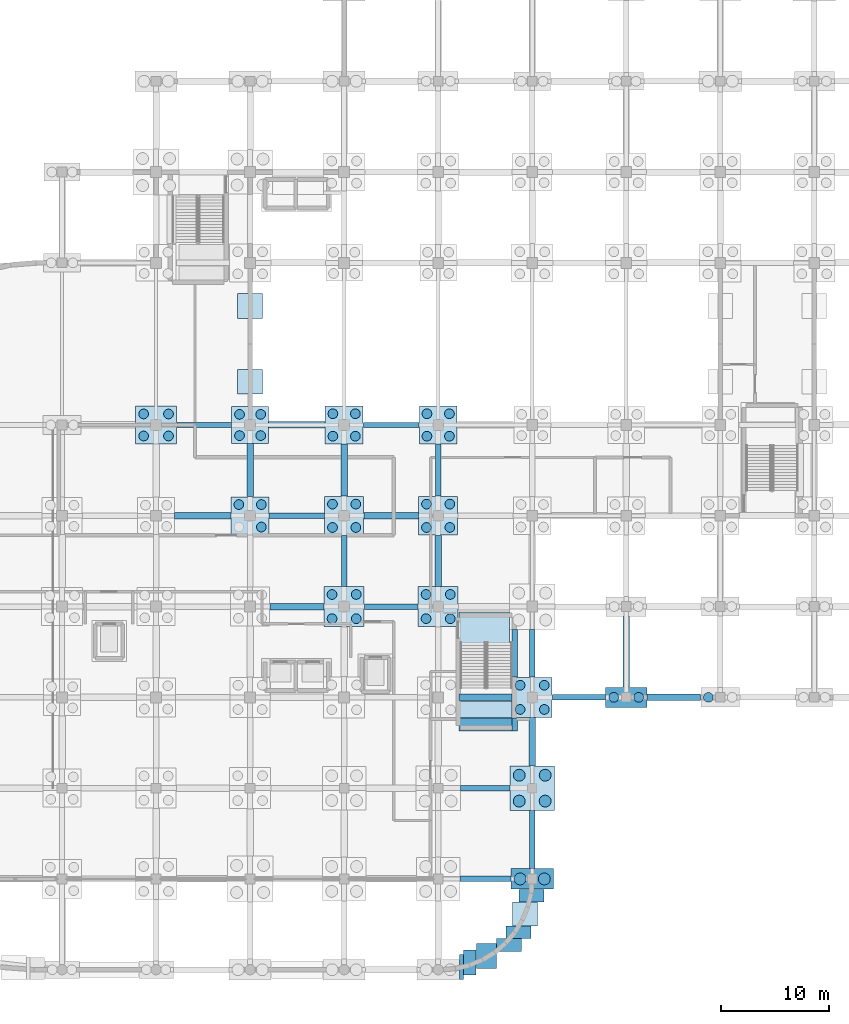
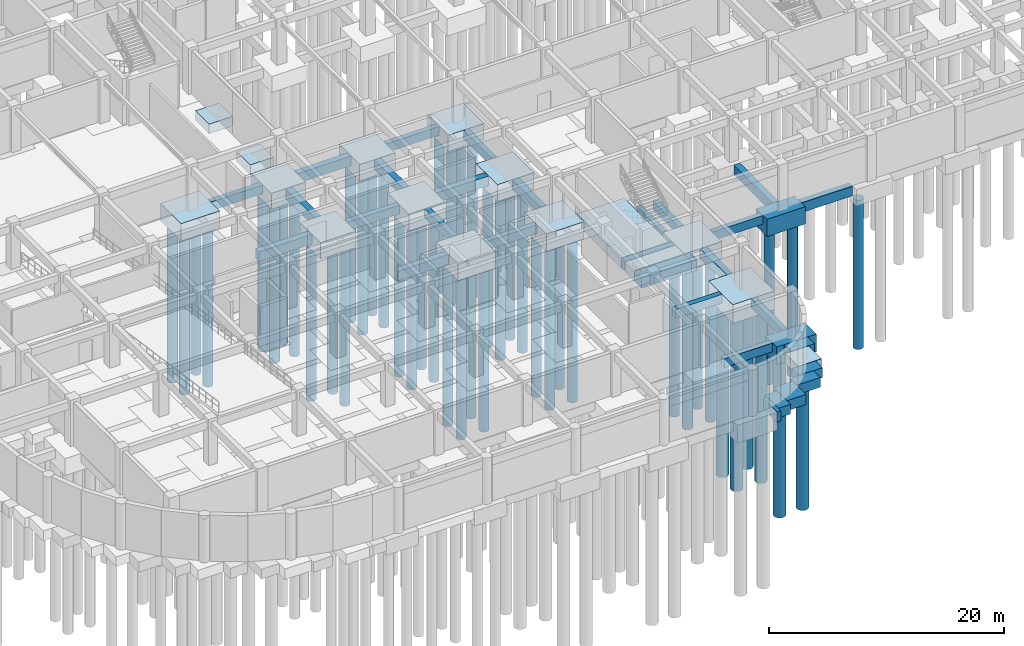
# One storey, part 4 of 33: 49 footings, 48 piles.
"""IFC4 building model written with IfcOpenShell, lengths in metres."""

from ifc_helpers import new_model, si_unit, derived_unit, direction, frame, origin, origin_2d, place, context, subcontext, project, spatial, rectangle, circle, extrude, material, material_profile, profile_set, type_object, element, save


model = new_model("IFC4")

# Units and contexts
model_context = context("Model", 3, precision=1e-05, world=origin(), true_north=direction((0.0, 1.0)))
body_context = subcontext(model_context, "Body", "Model", "MODEL_VIEW")
ifc_project = project(units=[si_unit("LENGTHUNIT", "METRE"), si_unit("AREAUNIT", "SQUARE_METRE"), si_unit("VOLUMEUNIT", "CUBIC_METRE"), si_unit("PLANEANGLEUNIT", "RADIAN"), si_unit("MASSUNIT", "GRAM", prefix="KILO"), derived_unit("THERMALTRANSMITTANCEUNIT", [(si_unit("MASSUNIT", "GRAM", prefix="KILO"), 1), (si_unit("TIMEUNIT", "SECOND"), -3), (si_unit("THERMODYNAMICTEMPERATUREUNIT", "KELVIN"), -1)])], contexts=[model_context])

# Site, building, storey
site_placement = place(None, origin())
site = spatial("IfcSite", under=ifc_project, at=site_placement, CompositionType="ELEMENT")
building_placement = place(site_placement, origin())
building = spatial("IfcBuilding", under=site, at=building_placement, Name="Qinzheling Arcade Emporium", CompositionType="ELEMENT")
storey_placement = place(building_placement, frame((0.0, 0.0, -9.60009765625)))
storey = spatial("IfcBuildingStorey", under=building, at=storey_placement, Name="B2", CompositionType="ELEMENT", Elevation=-9.60009765625)

# Footings
ifc_material = material(Name="Concrete C40", Category="concrete")
footing_type_1 = type_object("IfcFootingType", Name="Arcade Pad Footing 2400x2400x1050 C40", PredefinedType="PAD_FOOTING", material=ifc_material)
footing_1_placement = place(storey_placement, frame((69.52197265625, 6.85205078125, -1.0498046875), z_axis=(0.0, 0.0, 1.0), x_axis=(1.0, 0.0, 0.0)))
element("IfcFooting", 1, at=footing_1_placement, inside=storey, type_object=footing_type_1, Name="Retaining Wall Pad Footing FND-PF-RW-001", PredefinedType="PAD_FOOTING", context=body_context, shape_type="SweptSolid", body=[
    extrude(rectangle(XDim=2.300048828125, YDim=1.18408203125, at=origin_2d()), origin(), (0.0, 0.0, 1.0), 1.050048828125),
])
footing_2_placement = place(storey_placement, frame((68.340087890625, 3.45703125, -1.0498046875), z_axis=(0.0, 0.0, 1.0), x_axis=(1.0, 0.0, 0.0)))
element("IfcFooting", 2, at=footing_2_placement, inside=storey, type_object=footing_type_1, Name="Retaining Wall Pad Footing FND-PF-RW-003", PredefinedType="PAD_FOOTING", context=body_context, shape_type="SweptSolid", body=[
    extrude(rectangle(XDim=2.300048828125, YDim=1.1650390625, at=origin_2d()), origin(), (0.0, 0.0, 1.0), 1.050048828125),
])
footing_3_placement = place(storey_placement, frame((65.364990234375, 1.260009765625, -1.0498046875), z_axis=(0.0, 0.0, 1.0), x_axis=(1.0, 0.0, 0.0)))
element("IfcFooting", 3, at=footing_3_placement, inside=storey, type_object=footing_type_1, Name="Retaining Wall Pad Footing FND-PF-RW-005", PredefinedType="PAD_FOOTING", context=body_context, shape_type="SweptSolid", body=[
    extrude(rectangle(XDim=1.8798828125, YDim=2.300048828125, at=origin_2d()), origin(), (0.0, 0.0, 1.0), 1.050048828125),
])
footing_4_placement = place(storey_placement, frame((63.052978515625, 0.257080078125, -1.0498046875), z_axis=(0.0, 0.0, 1.0), x_axis=(1.0, 0.0, 0.0)))
element("IfcFooting", 4, at=footing_4_placement, inside=storey, type_object=footing_type_1, Name="Retaining Wall Pad Footing FND-PF-RW-007", PredefinedType="PAD_FOOTING", context=body_context, shape_type="SweptSolid", body=[
    extrude(rectangle(XDim=0.39306640625, YDim=2.300048828125, at=origin_2d()), origin(), (0.0, 0.0, 1.0), 1.050048828125),
])
footing_5_placement = place(storey_placement, frame((43.5, 54.39990234375, -1.0498046875), z_axis=(0.0, 0.0, 1.0), x_axis=(1.0, 0.0, 0.0)))
element("IfcFooting", 5, at=footing_5_placement, inside=storey, type_object=footing_type_1, Name="Retaining Wall Pad Footing FND-PF-RW-083", PredefinedType="PAD_FOOTING", context=body_context, shape_type="SweptSolid", body=[
    extrude(rectangle(XDim=2.300048828125, YDim=2.300048828125, at=origin_2d()), origin(), (0.0, 0.0, 1.0), 1.050048828125),
])
footing_type_2 = type_object("IfcFootingType", Name="Canopy Pad Footing 2600x2600x1100 C40", PredefinedType="PAD_FOOTING", material=ifc_material)
footing_6_placement = place(storey_placement, frame((65.27490234375, 22.68994140625, -1.099853515625), z_axis=(0.0, 0.0, 1.0), x_axis=(1.0, 0.0, 0.0)))
element("IfcFooting", 6, at=footing_6_placement, inside=storey, type_object=footing_type_2, Name="Stair Core Mat Pad FND-PF-ST-ST01-1", PredefinedType="PAD_FOOTING", context=body_context, shape_type="SweptSolid", body=[
    extrude(rectangle(XDim=4.906005859375, YDim=1.176025390625, at=origin_2d()), origin(), (0.0, 0.0, 1.0), 1.10009765625),
])
footing_7_placement = place(storey_placement, frame((65.27490234375, 24.10498046875, -1.099853515625), z_axis=(0.0, 0.0, 1.0), x_axis=(1.0, 0.0, 0.0)))
element("IfcFooting", 7, at=footing_7_placement, inside=storey, type_object=footing_type_2, Name="Stair Core Mat Pad FND-PF-ST-ST01-2", PredefinedType="PAD_FOOTING", context=body_context, shape_type="SweptSolid", body=[
    extrude(rectangle(XDim=4.906005859375, YDim=1.5458984375, at=origin_2d()), origin(), (0.0, 0.0, 1.0), 1.10009765625),
])
footing_8_placement = place(storey_placement, frame((65.14990234375, 29.31005859375, -1.099853515625), z_axis=(0.0, 0.0, 1.0), x_axis=(1.0, 0.0, 0.0)))
element("IfcFooting", 8, at=footing_8_placement, inside=storey, type_object=footing_type_2, Name="Stair Core Mat Pad FND-PF-ST-ST01-3", PredefinedType="PAD_FOOTING", context=body_context, shape_type="SweptSolid", body=[
    extrude(rectangle(XDim=4.656005859375, YDim=7.575927734375, at=origin_2d()), origin(), (0.0, 0.0, 1.0), 1.10009765625),
])
footing_9_placement = place(storey_placement, frame((67.9951171875, 22.68994140625, -1.099853515625), z_axis=(0.0, 0.0, 1.0), x_axis=(1.0, 0.0, 0.0)))
element("IfcFooting", 9, at=footing_9_placement, inside=storey, type_object=footing_type_2, Name="Stair Core Mat Pad FND-PF-ST-ST01-4", PredefinedType="PAD_FOOTING", context=body_context, shape_type="SweptSolid", body=[
    extrude(rectangle(XDim=0.486083984375, YDim=1.176025390625, at=origin_2d()), origin(), (0.0, 0.0, 1.0), 1.10009765625),
])
footing_10_placement = place(storey_placement, frame((67.9951171875, 29.27490234375, -1.099853515625), z_axis=(0.0, 0.0, 1.0), x_axis=(1.0, 0.0, 0.0)))
element("IfcFooting", 10, at=footing_10_placement, inside=storey, type_object=footing_type_2, Name="Stair Core Mat Pad FND-PF-ST-ST01-5", PredefinedType="PAD_FOOTING", context=body_context, shape_type="SweptSolid", body=[
    extrude(rectangle(XDim=0.486083984375, YDim=4.406005859375, at=origin_2d()), origin(), (0.0, 0.0, 1.0), 1.10009765625),
])
footing_type_3 = type_object("IfcFootingType", Name="Foundation Tie Beam 500x900 C40", PredefinedType="FOOTING_BEAM", material=ifc_material)
footing_11_placement = place(storey_placement, frame((65.27490234375, 8.39990234375, -0.89990234375), z_axis=(0.0, 0.0, 1.0), x_axis=(1.0, 0.0, 0.0)))
element("IfcFooting", 11, at=footing_11_placement, inside=storey, type_object=footing_type_3, Name="Foundation Tie FND-FB-011", PredefinedType="FOOTING_BEAM", context=body_context, shape_type="SweptSolid", body=[
    extrude(rectangle(XDim=4.7099609375, YDim=0.5, at=origin_2d()), origin(), (0.0, 0.0, 1.0), 0.89990234375),
])
footing_12_placement = place(storey_placement, frame((65.25, 16.800048828125, -0.89990234375), z_axis=(0.0, 0.0, 1.0), x_axis=(1.0, 0.0, 0.0)))
element("IfcFooting", 12, at=footing_12_placement, inside=storey, type_object=footing_type_3, Name="Foundation Tie FND-FB-025", PredefinedType="FOOTING_BEAM", context=body_context, shape_type="SweptSolid", body=[
    extrude(rectangle(XDim=4.56005859375, YDim=0.5, at=origin_2d()), origin(), (0.0, 0.0, 1.0), 0.89990234375),
])
footing_13_placement = place(storey_placement, frame((73.925048828125, 25.199951171875, -0.89990234375), z_axis=(0.0, 0.0, 1.0), x_axis=(1.0, 0.0, 0.0)))
element("IfcFooting", 13, at=footing_13_placement, inside=storey, type_object=footing_type_3, Name="Foundation Tie FND-FB-041", PredefinedType="FOOTING_BEAM", context=body_context, shape_type="SweptSolid", body=[
    extrude(rectangle(XDim=4.909912109375, YDim=0.5, at=origin_2d()), origin(), (0.0, 0.0, 1.0), 0.89990234375),
])
footing_14_placement = place(storey_placement, frame((56.550048828125, 33.60009765625, -0.89990234375), z_axis=(0.0, 0.0, 1.0), x_axis=(1.0, 0.0, 0.0)))
element("IfcFooting", 14, at=footing_14_placement, inside=storey, type_object=footing_type_3, Name="Foundation Tie FND-FB-059", PredefinedType="FOOTING_BEAM", context=body_context, shape_type="SweptSolid", body=[
    extrude(rectangle(XDim=4.9599609375, YDim=0.5, at=origin_2d()), origin(), (0.0, 0.0, 1.0), 0.89990234375),
])
footing_15_placement = place(storey_placement, frame((47.824951171875, 42.0, -0.89990234375), z_axis=(0.0, 0.0, 1.0), x_axis=(1.0, 0.0, 0.0)))
element("IfcFooting", 15, at=footing_15_placement, inside=storey, type_object=footing_type_3, Name="Foundation Tie FND-FB-077", PredefinedType="FOOTING_BEAM", context=body_context, shape_type="SweptSolid", body=[
    extrude(rectangle(XDim=5.110107421875, YDim=0.5, at=origin_2d()), origin(), (0.0, 0.0, 1.0), 0.89990234375),
])
footing_16_placement = place(storey_placement, frame((39.25, 50.39990234375, -0.89990234375), z_axis=(0.0, 0.0, 1.0), x_axis=(1.0, 0.0, 0.0)))
element("IfcFooting", 16, at=footing_16_placement, inside=storey, type_object=footing_type_3, Name="Foundation Tie FND-FB-093", PredefinedType="FOOTING_BEAM", context=body_context, shape_type="SweptSolid", body=[
    extrude(rectangle(XDim=5.06005859375, YDim=0.5, at=origin_2d()), origin(), (0.0, 0.0, 1.0), 0.89990234375),
])
footing_17_placement = place(storey_placement, frame((56.550048828125, 50.39990234375, -0.89990234375), z_axis=(0.0, 0.0, 1.0), x_axis=(1.0, 0.0, 0.0)))
element("IfcFooting", 17, at=footing_17_placement, inside=storey, type_object=footing_type_3, Name="Foundation Tie FND-FB-095", PredefinedType="FOOTING_BEAM", context=body_context, shape_type="SweptSolid", body=[
    extrude(rectangle(XDim=5.159912109375, YDim=0.5, at=origin_2d()), origin(), (0.0, 0.0, 1.0), 0.89990234375),
])
footing_18_placement = place(storey_placement, frame((52.199951171875, 37.824951171875, -0.89990234375), z_axis=(0.0, 0.0, 1.0), x_axis=(1.0, 0.0, 0.0)))
element("IfcFooting", 18, at=footing_18_placement, inside=storey, type_object=footing_type_3, Name="Foundation Tie FND-FB-219", PredefinedType="FOOTING_BEAM", context=body_context, shape_type="SweptSolid", body=[
    extrude(rectangle(XDim=0.5, YDim=4.7099609375, at=origin_2d()), origin(), (0.0, 0.0, 1.0), 0.89990234375),
])
footing_19_placement = place(storey_placement, frame((60.89990234375, 46.22509765625, -0.89990234375), z_axis=(0.0, 0.0, 1.0), x_axis=(1.0, 0.0, 0.0)))
element("IfcFooting", 19, at=footing_19_placement, inside=storey, type_object=footing_type_3, Name="Foundation Tie FND-FB-229", PredefinedType="FOOTING_BEAM", context=body_context, shape_type="SweptSolid", body=[
    extrude(rectangle(XDim=0.5, YDim=4.81005859375, at=origin_2d()), origin(), (0.0, 0.0, 1.0), 0.89990234375),
])
footing_20_placement = place(storey_placement, frame((69.60009765625, 12.050048828125, -0.89990234375), z_axis=(0.0, 0.0, 1.0), x_axis=(1.0, 0.0, 0.0)))
element("IfcFooting", 20, at=footing_20_placement, inside=storey, type_object=footing_type_3, Name="Foundation Tie FND-FB-235", PredefinedType="FOOTING_BEAM", context=body_context, shape_type="SweptSolid", body=[
    extrude(rectangle(XDim=0.5, YDim=5.360107421875, at=origin_2d()), origin(), (0.0, 0.0, 1.0), 0.89990234375),
])
footing_21_placement = place(storey_placement, frame((69.60009765625, 29.27490234375, -0.89990234375), z_axis=(0.0, 0.0, 1.0), x_axis=(1.0, 0.0, 0.0)))
element("IfcFooting", 21, at=footing_21_placement, inside=storey, type_object=footing_type_3, Name="Foundation Tie FND-FB-237", PredefinedType="FOOTING_BEAM", context=body_context, shape_type="SweptSolid", body=[
    extrude(rectangle(XDim=0.5, YDim=4.409912109375, at=origin_2d()), origin(), (0.0, 0.0, 1.0), 0.89990234375),
])
footing_type_4 = type_object("IfcFootingType", Name="Foundation Tie Beam 600x1000 C40", PredefinedType="FOOTING_BEAM", material=ifc_material)
footing_22_placement = place(storey_placement, frame((65.27490234375, 25.199951171875, -1.0), z_axis=(0.0, 0.0, 1.0), x_axis=(1.0, 0.0, 0.0)))
element("IfcFooting", 22, at=footing_22_placement, inside=storey, type_object=footing_type_4, Name="Foundation Tie FND-FB-040", PredefinedType="FOOTING_BEAM", context=body_context, shape_type="SweptSolid", body=[
    extrude(rectangle(XDim=4.909912109375, YDim=0.60009765625, at=origin_2d()), origin(), (0.0, 0.0, 1.0), 1.0),
])
footing_23_placement = place(storey_placement, frame((82.699951171875, 25.199951171875, -1.0), z_axis=(0.0, 0.0, 1.0), x_axis=(1.0, 0.0, 0.0)))
element("IfcFooting", 23, at=footing_23_placement, inside=storey, type_object=footing_type_4, Name="Foundation Tie FND-FB-042", PredefinedType="FOOTING_BEAM", context=body_context, shape_type="SweptSolid", body=[
    extrude(rectangle(XDim=4.9599609375, YDim=0.60009765625, at=origin_2d()), origin(), (0.0, 0.0, 1.0), 1.0),
])
footing_24_placement = place(storey_placement, frame((47.824951171875, 33.60009765625, -1.0), z_axis=(0.0, 0.0, 1.0), x_axis=(1.0, 0.0, 0.0)))
element("IfcFooting", 24, at=footing_24_placement, inside=storey, type_object=footing_type_4, Name="Foundation Tie FND-FB-058", PredefinedType="FOOTING_BEAM", context=body_context, shape_type="SweptSolid", body=[
    extrude(rectangle(XDim=5.010009765625, YDim=0.60009765625, at=origin_2d()), origin(), (0.0, 0.0, 1.0), 1.0),
])
footing_25_placement = place(storey_placement, frame((39.125, 42.0, -1.0), z_axis=(0.0, 0.0, 1.0), x_axis=(1.0, 0.0, 0.0)))
element("IfcFooting", 25, at=footing_25_placement, inside=storey, type_object=footing_type_4, Name="Foundation Tie FND-FB-076", PredefinedType="FOOTING_BEAM", context=body_context, shape_type="SweptSolid", body=[
    extrude(rectangle(XDim=5.2099609375, YDim=0.60009765625, at=origin_2d()), origin(), (0.0, 0.0, 1.0), 1.0),
])
footing_26_placement = place(storey_placement, frame((56.550048828125, 42.0, -1.0), z_axis=(0.0, 0.0, 1.0), x_axis=(1.0, 0.0, 0.0)))
element("IfcFooting", 26, at=footing_26_placement, inside=storey, type_object=footing_type_4, Name="Foundation Tie FND-FB-078", PredefinedType="FOOTING_BEAM", context=body_context, shape_type="SweptSolid", body=[
    extrude(rectangle(XDim=5.06005859375, YDim=0.60009765625, at=origin_2d()), origin(), (0.0, 0.0, 1.0), 1.0),
])
footing_27_placement = place(storey_placement, frame((47.824951171875, 50.39990234375, -1.0), z_axis=(0.0, 0.0, 1.0), x_axis=(1.0, 0.0, 0.0)))
element("IfcFooting", 27, at=footing_27_placement, inside=storey, type_object=footing_type_4, Name="Foundation Tie FND-FB-094", PredefinedType="FOOTING_BEAM", context=body_context, shape_type="SweptSolid", body=[
    extrude(rectangle(XDim=5.2099609375, YDim=0.60009765625, at=origin_2d()), origin(), (0.0, 0.0, 1.0), 1.0),
])
footing_28_placement = place(storey_placement, frame((43.5, 46.22509765625, -1.0), z_axis=(0.0, 0.0, 1.0), x_axis=(1.0, 0.0, 0.0)))
element("IfcFooting", 28, at=footing_28_placement, inside=storey, type_object=footing_type_4, Name="Foundation Tie FND-FB-212", PredefinedType="FOOTING_BEAM", context=body_context, shape_type="SweptSolid", body=[
    extrude(rectangle(XDim=0.60009765625, YDim=4.909912109375, at=origin_2d()), origin(), (0.0, 0.0, 1.0), 1.0),
])
footing_29_placement = place(storey_placement, frame((52.199951171875, 46.22509765625, -1.0), z_axis=(0.0, 0.0, 1.0), x_axis=(1.0, 0.0, 0.0)))
element("IfcFooting", 29, at=footing_29_placement, inside=storey, type_object=footing_type_4, Name="Foundation Tie FND-FB-220", PredefinedType="FOOTING_BEAM", context=body_context, shape_type="SweptSolid", body=[
    extrude(rectangle(XDim=0.60009765625, YDim=4.81005859375, at=origin_2d()), origin(), (0.0, 0.0, 1.0), 1.0),
])
footing_30_placement = place(storey_placement, frame((60.89990234375, 37.824951171875, -1.0), z_axis=(0.0, 0.0, 1.0), x_axis=(1.0, 0.0, 0.0)))
element("IfcFooting", 30, at=footing_30_placement, inside=storey, type_object=footing_type_4, Name="Foundation Tie FND-FB-228", PredefinedType="FOOTING_BEAM", context=body_context, shape_type="SweptSolid", body=[
    extrude(rectangle(XDim=0.60009765625, YDim=4.7099609375, at=origin_2d()), origin(), (0.0, 0.0, 1.0), 1.0),
])
footing_31_placement = place(storey_placement, frame((69.60009765625, 21.10009765625, -1.0), z_axis=(0.0, 0.0, 1.0), x_axis=(1.0, 0.0, 0.0)))
element("IfcFooting", 31, at=footing_31_placement, inside=storey, type_object=footing_type_4, Name="Foundation Tie FND-FB-236", PredefinedType="FOOTING_BEAM", context=body_context, shape_type="SweptSolid", body=[
    extrude(rectangle(XDim=0.60009765625, YDim=4.4599609375, at=origin_2d()), origin(), (0.0, 0.0, 1.0), 1.0),
])
footing_32_placement = place(storey_placement, frame((78.300048828125, 29.4130859375, -1.0), z_axis=(0.0, 0.0, 1.0), x_axis=(1.0, 0.0, 0.0)))
element("IfcFooting", 32, at=footing_32_placement, inside=storey, type_object=footing_type_4, Name="Foundation Tie FND-FB-246", PredefinedType="FOOTING_BEAM", context=body_context, shape_type="SweptSolid", body=[
    extrude(rectangle(XDim=0.60009765625, YDim=6.534912109375, at=origin_2d()), origin(), (0.0, 0.0, 1.0), 1.0),
])
footing_type_5 = type_object("IfcFootingType", Name="Four-Pile Core Cap 4100x4100x1950 C40", PredefinedType="PILE_CAP", material=ifc_material)
footing_33_placement = place(storey_placement, frame((69.60009765625, 16.800048828125, -1.94970703125), z_axis=(0.0, 0.0, 1.0), x_axis=(1.0, 0.0, 0.0)))
element("IfcFooting", 33, at=footing_33_placement, inside=storey, type_object=footing_type_5, Name="Pile Cap FND-PC-071", PredefinedType="PILE_CAP", context=body_context, shape_type="SweptSolid", body=[
    extrude(rectangle(XDim=4.10009765625, YDim=4.10009765625, at=origin_2d()), origin(), (0.0, 0.0, 1.0), 1.949951171875),
])
footing_type_6 = type_object("IfcFootingType", Name="Four-Pile Frame Cap 3600x3600x1750 C40", PredefinedType="PILE_CAP", material=ifc_material)
for number, where, z_axis, x_axis, name in (
    (34, (52.199951171875, 42.0, -1.75), (0.0, 0.0, 1.0), (1.0, 0.0, 0.0), "Pile Cap FND-PC-051"),
    (35, (60.89990234375, 42.0, -1.75), (0.0, 0.0, 1.0), (1.0, 0.0, 0.0), "Pile Cap FND-PC-062"),
):
    element("IfcFooting", number, at=place(storey_placement, frame(where, z_axis=z_axis, x_axis=x_axis)), inside=storey, type_object=footing_type_6, Name=name, PredefinedType="PILE_CAP", context=body_context, shape_type="SweptSolid", body=[
        extrude(rectangle(XDim=3.60009765625, YDim=3.60009765625, at=origin_2d()), origin(), (0.0, 0.0, 1.0), 1.75),
    ])
footing_type_7 = type_object("IfcFootingType", Name="Four-Pile Gallery Cap 3500x3500x1700 C40", PredefinedType="PILE_CAP", material=ifc_material)
for number, where, z_axis, x_axis, name in (
    (36, (43.5, 42.0, -1.69970703125), (0.0, 0.0, 1.0), (1.0, 0.0, 0.0), "Pile Cap FND-PC-041"),
    (37, (52.199951171875, 50.39990234375, -1.69970703125), (0.0, 0.0, 1.0), (1.0, 0.0, 0.0), "Pile Cap FND-PC-052"),
    (38, (60.89990234375, 50.39990234375, -1.69970703125), (0.0, 0.0, 1.0), (1.0, 0.0, 0.0), "Pile Cap FND-PC-063"),
):
    element("IfcFooting", number, at=place(storey_placement, frame(where, z_axis=z_axis, x_axis=x_axis)), inside=storey, type_object=footing_type_7, Name=name, PredefinedType="PILE_CAP", context=body_context, shape_type="SweptSolid", body=[
        extrude(rectangle(XDim=3.5, YDim=3.5, at=origin_2d()), origin(), (0.0, 0.0, 1.0), 1.699951171875),
    ])
footing_type_8 = type_object("IfcFootingType", Name="Four-Pile Office Cap 3800x3500x1800 C40", PredefinedType="PILE_CAP", material=ifc_material)
footing_34_placement = place(storey_placement, frame((34.800048828125, 50.39990234375, -1.7998046875), z_axis=(0.0, 0.0, 1.0), x_axis=(1.0, 0.0, 0.0)))
element("IfcFooting", 39, at=footing_34_placement, inside=storey, type_object=footing_type_8, Name="Pile Cap FND-PC-032", PredefinedType="PILE_CAP", context=body_context, shape_type="SweptSolid", body=[
    extrude(rectangle(XDim=3.800048828125, YDim=3.5, at=origin_2d()), origin(), (0.0, 0.0, 1.0), 1.800048828125),
])
footing_type_9 = type_object("IfcFootingType", Name="Four-Pile Retail Cap 3700x3700x1800 C40", PredefinedType="PILE_CAP", material=ifc_material)
for number, where, z_axis, x_axis, name in (
    (40, (52.199951171875, 33.60009765625, -1.7998046875), (0.0, 0.0, 1.0), (1.0, 0.0, 0.0), "Pile Cap FND-PC-050"),
    (41, (60.89990234375, 33.60009765625, -1.7998046875), (0.0, 0.0, 1.0), (1.0, 0.0, 0.0), "Pile Cap FND-PC-061"),
    (42, (69.60009765625, 25.199951171875, -1.7998046875), (0.0, 0.0, 1.0), (1.0, 0.0, 0.0), "Pile Cap FND-PC-072"),
):
    element("IfcFooting", number, at=place(storey_placement, frame(where, z_axis=z_axis, x_axis=x_axis)), inside=storey, type_object=footing_type_9, Name=name, PredefinedType="PILE_CAP", context=body_context, shape_type="SweptSolid", body=[
        extrude(rectangle(XDim=3.699951171875, YDim=3.699951171875, at=origin_2d()), origin(), (0.0, 0.0, 1.0), 1.800048828125),
    ])
footing_type_10 = type_object("IfcFootingType", Name="Four-Pile Wing Cap 3400x3400x1650 C40", PredefinedType="PILE_CAP", material=ifc_material)
footing_35_placement = place(storey_placement, frame((43.5, 50.39990234375, -1.64990234375), z_axis=(0.0, 0.0, 1.0), x_axis=(1.0, 0.0, 0.0)))
element("IfcFooting", 43, at=footing_35_placement, inside=storey, type_object=footing_type_10, Name="Pile Cap FND-PC-042", PredefinedType="PILE_CAP", context=body_context, shape_type="SweptSolid", body=[
    extrude(rectangle(XDim=3.39990234375, YDim=3.39990234375, at=origin_2d()), origin(), (0.0, 0.0, 1.0), 1.64990234375),
])
footing_type_11 = type_object("IfcFootingType", Name="Loggia Pad Footing 2200x2200x1000 C40", PredefinedType="PAD_FOOTING", material=ifc_material)
footing_36_placement = place(storey_placement, frame((68.93603515625, 5.14892578125, -1.0), z_axis=(0.0, 0.0, 1.0), x_axis=(1.0, 0.0, 0.0)))
element("IfcFooting", 44, at=footing_36_placement, inside=storey, type_object=footing_type_11, Name="Retaining Wall Pad Footing FND-PF-RW-002", PredefinedType="PAD_FOOTING", context=body_context, shape_type="SweptSolid", body=[
    extrude(rectangle(XDim=2.301025390625, YDim=2.208984375, at=origin_2d()), origin(), (0.0, 0.0, 1.0), 1.0),
])
footing_37_placement = place(storey_placement, frame((67.4609375, 2.277099609375, -1.0), z_axis=(0.0, 0.0, 1.0), x_axis=(1.0, 0.0, 0.0)))
element("IfcFooting", 45, at=footing_37_placement, inside=storey, type_object=footing_type_11, Name="Retaining Wall Pad Footing FND-PF-RW-004", PredefinedType="PAD_FOOTING", context=body_context, shape_type="SweptSolid", body=[
    extrude(rectangle(XDim=2.300048828125, YDim=1.181884765625, at=origin_2d()), origin(), (0.0, 0.0, 1.0), 1.0),
])
footing_38_placement = place(storey_placement, frame((63.8369140625, 0.6630859375, -1.0), z_axis=(0.0, 0.0, 1.0), x_axis=(1.0, 0.0, 0.0)))
element("IfcFooting", 46, at=footing_38_placement, inside=storey, type_object=footing_type_11, Name="Retaining Wall Pad Footing FND-PF-RW-006", PredefinedType="PAD_FOOTING", context=body_context, shape_type="SweptSolid", body=[
    extrude(rectangle(XDim=1.1640625, YDim=2.299072265625, at=origin_2d()), origin(), (0.0, 0.0, 1.0), 1.0),
])
footing_39_placement = place(storey_placement, frame((43.5, 61.39990234375, -1.0), z_axis=(0.0, 0.0, 1.0), x_axis=(1.0, 0.0, 0.0)))
element("IfcFooting", 47, at=footing_39_placement, inside=storey, type_object=footing_type_11, Name="Retaining Wall Pad Footing FND-PF-RW-082", PredefinedType="PAD_FOOTING", context=body_context, shape_type="SweptSolid", body=[
    extrude(rectangle(XDim=2.300048828125, YDim=2.300048828125, at=origin_2d()), origin(), (0.0, 0.0, 1.0), 1.0),
])

# Piles
ifc_material_profile_1 = material_profile(ifc_material, circle(Radius=0.550048828125, at=origin_2d()), Name="BORED D1100", Category="concrete")
ifc_profile_set_1 = profile_set([ifc_material_profile_1], Name="Concrete C40")
pile_type_1 = type_object("IfcPileType", Name="Rotary Bored Pile D1100 C40", PredefinedType="BORED", material=ifc_profile_set_1)
for number, where, z_axis, x_axis, name in (
    (48, (68.47998046875, 8.39990234375, -1.75), (0.0, 0.0, -1.0), (1.0, 0.0, 0.0), "Bored Pile FND-PL-0231"),
    (49, (70.719970703125, 8.39990234375, -1.75), (0.0, 0.0, -1.0), (1.0, 0.0, 0.0), "Bored Pile FND-PL-0232"),
):
    element("IfcPile", number, at=place(storey_placement, frame(where, z_axis=z_axis, x_axis=x_axis)), inside=storey, type_object=pile_type_1, Name=name, PredefinedType="BORED", context=body_context, shape_type="SweptSolid", body=[
        extrude(circle(Radius=0.550048828125, at=origin_2d()), origin(), (0.0, 0.0, 1.0), 16.5),
    ])
for number, where, z_axis, x_axis, name in (
    (50, (68.39990234375, 15.60009765625, -1.849853515625), (0.0, 0.0, -1.0), (1.0, 0.0, 0.0), "Bored Pile FND-PL-0233"),
    (51, (70.800048828125, 15.60009765625, -1.849853515625), (0.0, 0.0, -1.0), (1.0, 0.0, 0.0), "Bored Pile FND-PL-0234"),
    (52, (68.39990234375, 18.0, -1.849853515625), (0.0, 0.0, -1.0), (1.0, 0.0, 0.0), "Bored Pile FND-PL-0235"),
    (53, (70.800048828125, 18.0, -1.849853515625), (0.0, 0.0, -1.0), (1.0, 0.0, 0.0), "Bored Pile FND-PL-0236"),
):
    element("IfcPile", number, at=place(storey_placement, frame(where, z_axis=z_axis, x_axis=x_axis)), inside=storey, type_object=pile_type_1, Name=name, PredefinedType="BORED", context=body_context, shape_type="SweptSolid", body=[
        extrude(circle(Radius=0.550048828125, at=origin_2d()), origin(), (0.0, 0.0, 1.0), 18.0),
    ])
ifc_material_profile_2 = material_profile(ifc_material, circle(Radius=0.449951171875, at=origin_2d()), Name="BORED D900", Category="concrete")
ifc_profile_set_2 = profile_set([ifc_material_profile_2], Name="Concrete C40")
pile_type_2 = type_object("IfcPileType", Name="Rotary Bored Pile D900 C40", PredefinedType="BORED", material=ifc_profile_set_2)
for number, where, z_axis, x_axis, name in (
    (54, (33.64990234375, 49.3798828125, -1.699951171875), (0.0, 0.0, -1.0), (1.0, 0.0, 0.0), "Bored Pile FND-PL-0101"),
    (55, (35.949951171875, 49.3798828125, -1.699951171875), (0.0, 0.0, -1.0), (1.0, 0.0, 0.0), "Bored Pile FND-PL-0102"),
    (56, (33.64990234375, 51.419921875, -1.699951171875), (0.0, 0.0, -1.0), (1.0, 0.0, 0.0), "Bored Pile FND-PL-0103"),
    (57, (35.949951171875, 51.419921875, -1.699951171875), (0.0, 0.0, -1.0), (1.0, 0.0, 0.0), "Bored Pile FND-PL-0104"),
    (58, (44.5400390625, 40.9599609375, -1.599853515625), (0.0, 0.0, -1.0), (1.0, 0.0, 0.0), "Bored Pile FND-PL-0134"),
    (59, (42.4599609375, 43.0400390625, -1.599853515625), (0.0, 0.0, -1.0), (1.0, 0.0, 0.0), "Bored Pile FND-PL-0135"),
    (60, (44.5400390625, 43.0400390625, -1.599853515625), (0.0, 0.0, -1.0), (1.0, 0.0, 0.0), "Bored Pile FND-PL-0136"),
    (61, (42.52001953125, 49.419921875, -1.5498046875), (0.0, 0.0, -1.0), (1.0, 0.0, 0.0), "Bored Pile FND-PL-0137"),
    (62, (44.47998046875, 49.419921875, -1.5498046875), (0.0, 0.0, -1.0), (1.0, 0.0, 0.0), "Bored Pile FND-PL-0138"),
    (63, (42.52001953125, 51.3798828125, -1.5498046875), (0.0, 0.0, -1.0), (1.0, 0.0, 0.0), "Bored Pile FND-PL-0139"),
    (64, (44.47998046875, 51.3798828125, -1.5498046875), (0.0, 0.0, -1.0), (1.0, 0.0, 0.0), "Bored Pile FND-PL-0140"),
):
    element("IfcPile", number, at=place(storey_placement, frame(where, z_axis=z_axis, x_axis=x_axis)), inside=storey, type_object=pile_type_2, Name=name, PredefinedType="BORED", context=body_context, shape_type="SweptSolid", body=[
        extrude(circle(Radius=0.449951171875, at=origin_2d()), origin(), (0.0, 0.0, 1.0), 16.5),
    ])
for number, where, z_axis, x_axis, name in (
    (65, (51.080078125, 32.47998046875, -1.699951171875), (0.0, 0.0, -1.0), (1.0, 0.0, 0.0), "Bored Pile FND-PL-0165"),
    (66, (53.320068359375, 32.47998046875, -1.699951171875), (0.0, 0.0, -1.0), (1.0, 0.0, 0.0), "Bored Pile FND-PL-0166"),
    (67, (51.080078125, 34.719970703125, -1.699951171875), (0.0, 0.0, -1.0), (1.0, 0.0, 0.0), "Bored Pile FND-PL-0167"),
    (68, (53.320068359375, 34.719970703125, -1.699951171875), (0.0, 0.0, -1.0), (1.0, 0.0, 0.0), "Bored Pile FND-PL-0168"),
    (69, (51.1201171875, 40.919921875, -1.64990234375), (0.0, 0.0, -1.0), (1.0, 0.0, 0.0), "Bored Pile FND-PL-0169"),
    (70, (53.280029296875, 40.919921875, -1.64990234375), (0.0, 0.0, -1.0), (1.0, 0.0, 0.0), "Bored Pile FND-PL-0170"),
    (71, (51.1201171875, 43.080078125, -1.64990234375), (0.0, 0.0, -1.0), (1.0, 0.0, 0.0), "Bored Pile FND-PL-0171"),
    (72, (53.280029296875, 43.080078125, -1.64990234375), (0.0, 0.0, -1.0), (1.0, 0.0, 0.0), "Bored Pile FND-PL-0172"),
):
    element("IfcPile", number, at=place(storey_placement, frame(where, z_axis=z_axis, x_axis=x_axis)), inside=storey, type_object=pile_type_2, Name=name, PredefinedType="BORED", context=body_context, shape_type="SweptSolid", body=[
        extrude(circle(Radius=0.449951171875, at=origin_2d()), origin(), (0.0, 0.0, 1.0), 17.0),
    ])
for number, where, z_axis, x_axis, name in (
    (73, (51.159912109375, 49.360107421875, -1.599853515625), (0.0, 0.0, -1.0), (1.0, 0.0, 0.0), "Bored Pile FND-PL-0173"),
    (74, (53.239990234375, 49.360107421875, -1.599853515625), (0.0, 0.0, -1.0), (1.0, 0.0, 0.0), "Bored Pile FND-PL-0174"),
    (75, (51.159912109375, 51.43994140625, -1.599853515625), (0.0, 0.0, -1.0), (1.0, 0.0, 0.0), "Bored Pile FND-PL-0175"),
    (76, (53.239990234375, 51.43994140625, -1.599853515625), (0.0, 0.0, -1.0), (1.0, 0.0, 0.0), "Bored Pile FND-PL-0176"),
):
    element("IfcPile", number, at=place(storey_placement, frame(where, z_axis=z_axis, x_axis=x_axis)), inside=storey, type_object=pile_type_2, Name=name, PredefinedType="BORED", context=body_context, shape_type="SweptSolid", body=[
        extrude(circle(Radius=0.449951171875, at=origin_2d()), origin(), (0.0, 0.0, 1.0), 16.5),
    ])
for number, where, z_axis, x_axis, name in (
    (77, (59.780029296875, 32.47998046875, -1.699951171875), (0.0, 0.0, -1.0), (1.0, 0.0, 0.0), "Bored Pile FND-PL-0203"),
    (78, (62.02001953125, 32.47998046875, -1.699951171875), (0.0, 0.0, -1.0), (1.0, 0.0, 0.0), "Bored Pile FND-PL-0204"),
    (79, (59.780029296875, 34.719970703125, -1.699951171875), (0.0, 0.0, -1.0), (1.0, 0.0, 0.0), "Bored Pile FND-PL-0205"),
    (80, (62.02001953125, 34.719970703125, -1.699951171875), (0.0, 0.0, -1.0), (1.0, 0.0, 0.0), "Bored Pile FND-PL-0206"),
    (81, (59.820068359375, 40.919921875, -1.64990234375), (0.0, 0.0, -1.0), (1.0, 0.0, 0.0), "Bored Pile FND-PL-0207"),
    (82, (61.97998046875, 40.919921875, -1.64990234375), (0.0, 0.0, -1.0), (1.0, 0.0, 0.0), "Bored Pile FND-PL-0208"),
    (83, (59.820068359375, 43.080078125, -1.64990234375), (0.0, 0.0, -1.0), (1.0, 0.0, 0.0), "Bored Pile FND-PL-0209"),
    (84, (61.97998046875, 43.080078125, -1.64990234375), (0.0, 0.0, -1.0), (1.0, 0.0, 0.0), "Bored Pile FND-PL-0210"),
):
    element("IfcPile", number, at=place(storey_placement, frame(where, z_axis=z_axis, x_axis=x_axis)), inside=storey, type_object=pile_type_2, Name=name, PredefinedType="BORED", context=body_context, shape_type="SweptSolid", body=[
        extrude(circle(Radius=0.449951171875, at=origin_2d()), origin(), (0.0, 0.0, 1.0), 17.0),
    ])
for number, where, z_axis, x_axis, name in (
    (85, (59.860107421875, 49.360107421875, -1.599853515625), (0.0, 0.0, -1.0), (1.0, 0.0, 0.0), "Bored Pile FND-PL-0211"),
    (86, (61.93994140625, 49.360107421875, -1.599853515625), (0.0, 0.0, -1.0), (1.0, 0.0, 0.0), "Bored Pile FND-PL-0212"),
    (87, (59.860107421875, 51.43994140625, -1.599853515625), (0.0, 0.0, -1.0), (1.0, 0.0, 0.0), "Bored Pile FND-PL-0213"),
    (88, (61.93994140625, 51.43994140625, -1.599853515625), (0.0, 0.0, -1.0), (1.0, 0.0, 0.0), "Bored Pile FND-PL-0214"),
):
    element("IfcPile", number, at=place(storey_placement, frame(where, z_axis=z_axis, x_axis=x_axis)), inside=storey, type_object=pile_type_2, Name=name, PredefinedType="BORED", context=body_context, shape_type="SweptSolid", body=[
        extrude(circle(Radius=0.449951171875, at=origin_2d()), origin(), (0.0, 0.0, 1.0), 16.5),
    ])
for number, where, z_axis, x_axis, name in (
    (89, (68.47998046875, 24.080078125, -1.699951171875), (0.0, 0.0, -1.0), (1.0, 0.0, 0.0), "Bored Pile FND-PL-0237"),
    (90, (70.719970703125, 24.080078125, -1.699951171875), (0.0, 0.0, -1.0), (1.0, 0.0, 0.0), "Bored Pile FND-PL-0238"),
    (91, (68.47998046875, 26.320068359375, -1.699951171875), (0.0, 0.0, -1.0), (1.0, 0.0, 0.0), "Bored Pile FND-PL-0239"),
    (92, (70.719970703125, 26.320068359375, -1.699951171875), (0.0, 0.0, -1.0), (1.0, 0.0, 0.0), "Bored Pile FND-PL-0240"),
):
    element("IfcPile", number, at=place(storey_placement, frame(where, z_axis=z_axis, x_axis=x_axis)), inside=storey, type_object=pile_type_2, Name=name, PredefinedType="BORED", context=body_context, shape_type="SweptSolid", body=[
        extrude(circle(Radius=0.449951171875, at=origin_2d()), origin(), (0.0, 0.0, 1.0), 17.0),
    ])
for number, where, z_axis, x_axis, name in (
    (93, (77.14990234375, 25.199951171875, -1.699951171875), (0.0, 0.0, -1.0), (1.0, 0.0, 0.0), "Bored Pile FND-PL-0271"),
    (94, (79.449951171875, 25.199951171875, -1.699951171875), (0.0, 0.0, -1.0), (1.0, 0.0, 0.0), "Bored Pile FND-PL-0272"),
):
    element("IfcPile", number, at=place(storey_placement, frame(where, z_axis=z_axis, x_axis=x_axis)), inside=storey, type_object=pile_type_2, Name=name, PredefinedType="BORED", context=body_context, shape_type="SweptSolid", body=[
        extrude(circle(Radius=0.449951171875, at=origin_2d()), origin(), (0.0, 0.0, 1.0), 16.0),
    ])
pile_placement = place(storey_placement, frame((85.89990234375, 25.199951171875, -1.599853515625), z_axis=(0.0, 0.0, -1.0), x_axis=(1.0, 0.0, 0.0)))
element("IfcPile", 95, at=pile_placement, inside=storey, type_object=pile_type_2, Name="Bored Pile FND-PL-0301", PredefinedType="BORED", context=body_context, shape_type="SweptSolid", body=[
    extrude(circle(Radius=0.449951171875, at=origin_2d()), origin(), (0.0, 0.0, 1.0), 15.5),
])

# Footings
footing_type_12 = type_object("IfcFootingType", Name="Two-Pile Dock Cap 3800x1850x1800 C40", PredefinedType="PILE_CAP", material=ifc_material)
footing_40_placement = place(storey_placement, frame((78.300048828125, 25.199951171875, -1.7998046875), z_axis=(0.0, 0.0, 1.0), x_axis=(1.0, 0.0, 0.0)))
element("IfcFooting", 96, at=footing_40_placement, inside=storey, type_object=footing_type_12, Name="Pile Cap FND-PC-083", PredefinedType="PILE_CAP", context=body_context, shape_type="SweptSolid", body=[
    extrude(rectangle(XDim=3.800048828125, YDim=1.85009765625, at=origin_2d()), origin(), (0.0, 0.0, 1.0), 1.800048828125),
])
footing_type_13 = type_object("IfcFootingType", Name="Two-Pile Heavy Cap 3900x1900x1850 C40", PredefinedType="PILE_CAP", material=ifc_material)
footing_41_placement = place(storey_placement, frame((69.60009765625, 8.39990234375, -1.849853515625), z_axis=(0.0, 0.0, 1.0), x_axis=(1.0, 0.0, 0.0)))
element("IfcFooting", 97, at=footing_41_placement, inside=storey, type_object=footing_type_13, Name="Pile Cap FND-PC-070", PredefinedType="PILE_CAP", context=body_context, shape_type="SweptSolid", body=[
    extrude(rectangle(XDim=3.89990234375, YDim=1.89990234375, at=origin_2d()), origin(), (0.0, 0.0, 1.0), 1.85009765625),
])

save(model, "model.ifc")
